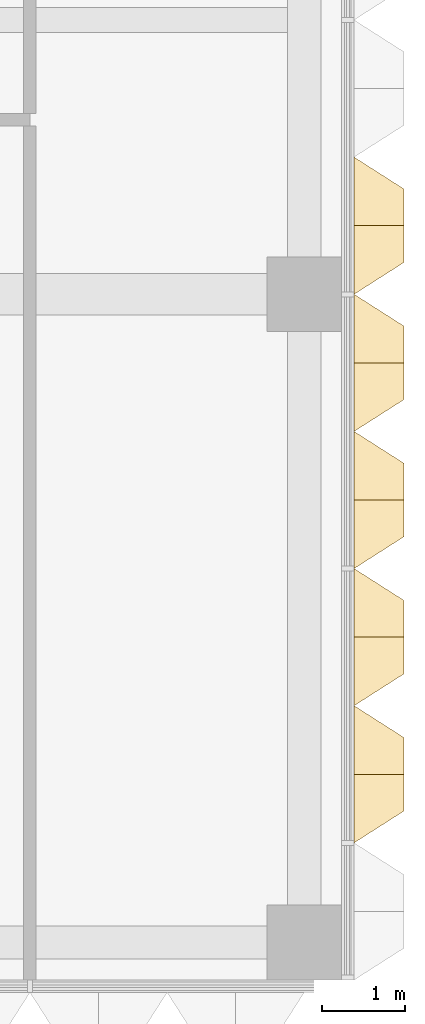
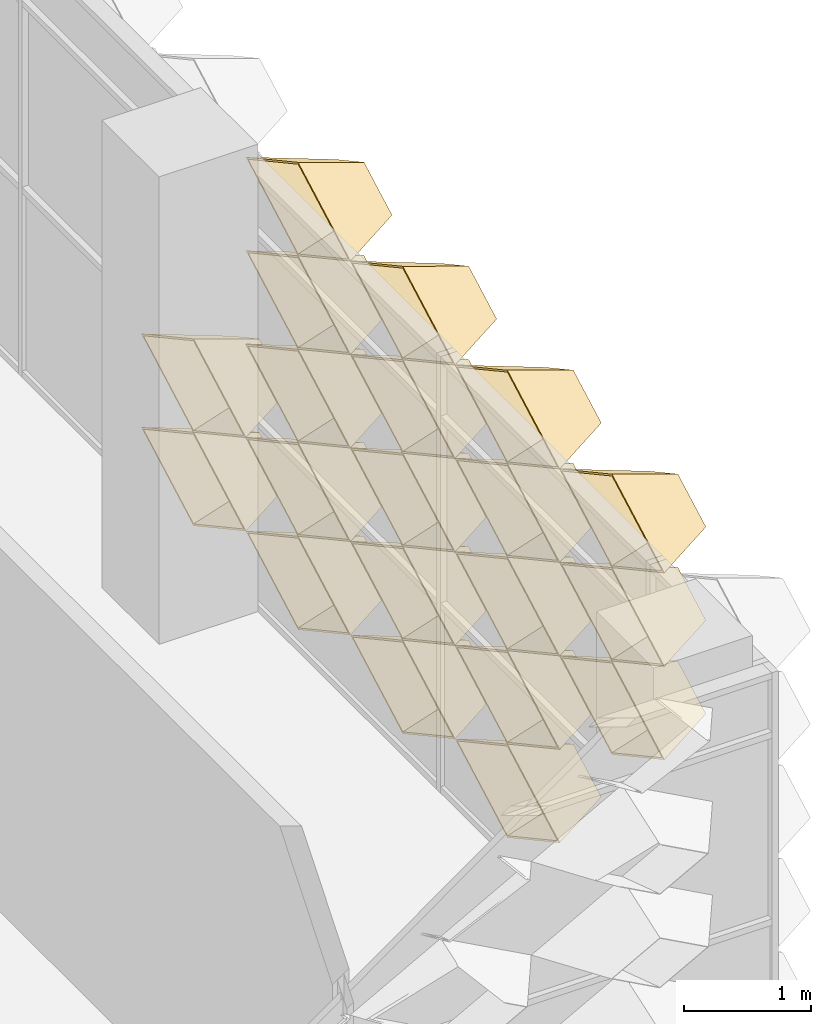
# One storey, part 77 of 102: 20 coverings.
"""IFC4 building model written with IfcOpenShell, lengths in metres."""

from ifc_helpers import new_model, entity, si_unit, direction, frame, origin, place, context, subcontext, project, spatial, material, layer, layer_set, type_object, element, save


model = new_model("IFC4")

# Units and contexts
model_context = context("Model", 3, precision=1e-05, world=origin(), true_north=direction((0.0, 1.0)))
body_context = subcontext(model_context, "Body", "Model", "MODEL_VIEW")
ifc_project = project(units=[si_unit("LENGTHUNIT", "METRE"), si_unit("AREAUNIT", "SQUARE_METRE"), si_unit("VOLUMEUNIT", "CUBIC_METRE"), si_unit("PLANEANGLEUNIT", "RADIAN"), si_unit("MASSUNIT", "GRAM", prefix="KILO")], contexts=[model_context])

# Site, building, storey
site_placement = place(None, origin())
site = spatial("IfcSite", under=ifc_project, at=site_placement, CompositionType="ELEMENT")
building_placement = place(site_placement, origin())
building = spatial("IfcBuilding", under=site, at=building_placement, Name="Lantern Court Research Institute", CompositionType="ELEMENT")
storey_placement = place(building_placement, frame((0.0, 0.0, 9.89990234375)))
storey = spatial("IfcBuildingStorey", under=building, at=storey_placement, Name="L02", CompositionType="ELEMENT", Elevation=9.89990234375)

# Coverings
ifc_material = material(Name="Anodised aluminium", Category="aluminium")
ifc_layer = layer(ifc_material, 0.01611328125)
ifc_layer_set = layer_set([ifc_layer], Name="Anodised aluminium")
covering_type = type_object("IfcCoveringType", Name="Fin cassette 1650 x 900 x 600 aluminium", PredefinedType="CLADDING", material=ifc_layer_set)
covering_1_placement = place(storey_placement, frame((79.800048828125, -4.125, 0.4501953125), z_axis=(1.0, 0.0, 0.0), x_axis=(0.0, 1.0, 0.0)))
cartesian_point_1 = entity("IfcCartesianPoint", [0.824951171875, 0.0])
cartesian_point_2 = entity("IfcCartesianPoint", [0.79150390625, 0.0])
cartesian_point_3 = entity("IfcCartesianPoint", [0.44189453125, 0.0])
cartesian_point_4 = entity("IfcCartesianPoint", [0.43359375, 0.0])
element("IfcCovering", 1, at=covering_1_placement, inside=storey, type_object=covering_type, Name="Fin cassette V5E-L02 1.-2", PredefinedType="CLADDING", context=body_context, shape_type="SweptSolid", body=[
    entity("IfcExtrudedAreaSolidTapered", entity("IfcArbitraryProfileDefWithVoids", "AREA", None, entity("IfcPolyline", [cartesian_point_1, entity("IfcCartesianPoint", [0.0, 0.449951171875]), entity("IfcCartesianPoint", [-0.824951171875, 0.0]), entity("IfcCartesianPoint", [0.0, -0.449951171875]), cartesian_point_1]), [entity("IfcPolyline", [cartesian_point_2, entity("IfcCartesianPoint", [0.0, 0.431884765625]), entity("IfcCartesianPoint", [-0.79150390625, 0.0]), entity("IfcCartesianPoint", [0.0, -0.431884765625]), cartesian_point_2])]), entity("IfcAxis2Placement3D", entity("IfcCartesianPoint", [0.0, 0.0, 0.0])), entity("IfcDirection", [0.0, 0.0, 1.0]), 0.60009765625, entity("IfcArbitraryProfileDefWithVoids", "AREA", None, entity("IfcPolyline", [cartesian_point_3, entity("IfcCartesianPoint", [0.0, 0.240966796875]), entity("IfcCartesianPoint", [-0.44189453125, 0.0]), entity("IfcCartesianPoint", [0.0, -0.240966796875]), cartesian_point_3]), [entity("IfcPolyline", [cartesian_point_4, entity("IfcCartesianPoint", [0.0, 0.236572265625]), entity("IfcCartesianPoint", [-0.43359375, 0.0]), entity("IfcCartesianPoint", [0.0, -0.236572265625]), cartesian_point_4])])),
])
covering_2_placement = place(storey_placement, frame((79.800048828125, -2.47509765625, 0.4501953125), z_axis=(1.0, 0.0, 0.0), x_axis=(0.0, 1.0, 0.0)))
cartesian_point_5 = entity("IfcCartesianPoint", [0.824951171875, 0.0])
cartesian_point_6 = entity("IfcCartesianPoint", [0.79150390625, 0.0])
cartesian_point_7 = entity("IfcCartesianPoint", [0.44189453125, 0.0])
cartesian_point_8 = entity("IfcCartesianPoint", [0.43359375, 0.0])
element("IfcCovering", 2, at=covering_2_placement, inside=storey, type_object=covering_type, Name="Fin cassette V5E-L02 1.-1", PredefinedType="CLADDING", context=body_context, shape_type="SweptSolid", body=[
    entity("IfcExtrudedAreaSolidTapered", entity("IfcArbitraryProfileDefWithVoids", "AREA", None, entity("IfcPolyline", [cartesian_point_5, entity("IfcCartesianPoint", [0.0, 0.449951171875]), entity("IfcCartesianPoint", [-0.824951171875, 0.0]), entity("IfcCartesianPoint", [0.0, -0.449951171875]), cartesian_point_5]), [entity("IfcPolyline", [cartesian_point_6, entity("IfcCartesianPoint", [0.0, 0.431884765625]), entity("IfcCartesianPoint", [-0.79150390625, 0.0]), entity("IfcCartesianPoint", [0.0, -0.431884765625]), cartesian_point_6])]), entity("IfcAxis2Placement3D", entity("IfcCartesianPoint", [0.0, 0.0, 0.0])), entity("IfcDirection", [0.0, 0.0, 1.0]), 0.60009765625, entity("IfcArbitraryProfileDefWithVoids", "AREA", None, entity("IfcPolyline", [cartesian_point_7, entity("IfcCartesianPoint", [0.0, 0.240966796875]), entity("IfcCartesianPoint", [-0.44189453125, 0.0]), entity("IfcCartesianPoint", [0.0, -0.240966796875]), cartesian_point_7]), [entity("IfcPolyline", [cartesian_point_8, entity("IfcCartesianPoint", [0.0, 0.236572265625]), entity("IfcCartesianPoint", [-0.43359375, 0.0]), entity("IfcCartesianPoint", [0.0, -0.236572265625]), cartesian_point_8])])),
])
covering_3_placement = place(storey_placement, frame((79.800048828125, -0.824951171875, 0.4501953125), z_axis=(1.0, 0.0, 0.0), x_axis=(0.0, 1.0, 0.0)))
cartesian_point_9 = entity("IfcCartesianPoint", [0.824951171875, 0.0])
cartesian_point_10 = entity("IfcCartesianPoint", [0.79150390625, 0.0])
cartesian_point_11 = entity("IfcCartesianPoint", [0.44189453125, 0.0])
cartesian_point_12 = entity("IfcCartesianPoint", [0.43359375, 0.0])
element("IfcCovering", 3, at=covering_3_placement, inside=storey, type_object=covering_type, Name="Fin cassette V5E-L02 1.0", PredefinedType="CLADDING", context=body_context, shape_type="SweptSolid", body=[
    entity("IfcExtrudedAreaSolidTapered", entity("IfcArbitraryProfileDefWithVoids", "AREA", None, entity("IfcPolyline", [cartesian_point_9, entity("IfcCartesianPoint", [0.0, 0.449951171875]), entity("IfcCartesianPoint", [-0.824951171875, 0.0]), entity("IfcCartesianPoint", [0.0, -0.449951171875]), cartesian_point_9]), [entity("IfcPolyline", [cartesian_point_10, entity("IfcCartesianPoint", [0.0, 0.431884765625]), entity("IfcCartesianPoint", [-0.79150390625, 0.0]), entity("IfcCartesianPoint", [0.0, -0.431884765625]), cartesian_point_10])]), entity("IfcAxis2Placement3D", entity("IfcCartesianPoint", [0.0, 0.0, 0.0])), entity("IfcDirection", [0.0, 0.0, 1.0]), 0.60009765625, entity("IfcArbitraryProfileDefWithVoids", "AREA", None, entity("IfcPolyline", [cartesian_point_11, entity("IfcCartesianPoint", [0.0, 0.240966796875]), entity("IfcCartesianPoint", [-0.44189453125, 0.0]), entity("IfcCartesianPoint", [0.0, -0.240966796875]), cartesian_point_11]), [entity("IfcPolyline", [cartesian_point_12, entity("IfcCartesianPoint", [0.0, 0.236572265625]), entity("IfcCartesianPoint", [-0.43359375, 0.0]), entity("IfcCartesianPoint", [0.0, -0.236572265625]), cartesian_point_12])])),
])
covering_4_placement = place(storey_placement, frame((79.800048828125, 0.824951171875, 0.4501953125), z_axis=(1.0, 0.0, 0.0), x_axis=(0.0, 1.0, 0.0)))
cartesian_point_13 = entity("IfcCartesianPoint", [0.824951171875, 0.0])
cartesian_point_14 = entity("IfcCartesianPoint", [0.79150390625, 0.0])
cartesian_point_15 = entity("IfcCartesianPoint", [0.44189453125, 0.0])
cartesian_point_16 = entity("IfcCartesianPoint", [0.43359375, 0.0])
element("IfcCovering", 4, at=covering_4_placement, inside=storey, type_object=covering_type, Name="Fin cassette V5E-L02 1.1", PredefinedType="CLADDING", context=body_context, shape_type="SweptSolid", body=[
    entity("IfcExtrudedAreaSolidTapered", entity("IfcArbitraryProfileDefWithVoids", "AREA", None, entity("IfcPolyline", [cartesian_point_13, entity("IfcCartesianPoint", [0.0, 0.449951171875]), entity("IfcCartesianPoint", [-0.824951171875, 0.0]), entity("IfcCartesianPoint", [0.0, -0.449951171875]), cartesian_point_13]), [entity("IfcPolyline", [cartesian_point_14, entity("IfcCartesianPoint", [0.0, 0.431884765625]), entity("IfcCartesianPoint", [-0.79150390625, 0.0]), entity("IfcCartesianPoint", [0.0, -0.431884765625]), cartesian_point_14])]), entity("IfcAxis2Placement3D", entity("IfcCartesianPoint", [0.0, 0.0, 0.0])), entity("IfcDirection", [0.0, 0.0, 1.0]), 0.60009765625, entity("IfcArbitraryProfileDefWithVoids", "AREA", None, entity("IfcPolyline", [cartesian_point_15, entity("IfcCartesianPoint", [0.0, 0.240966796875]), entity("IfcCartesianPoint", [-0.44189453125, 0.0]), entity("IfcCartesianPoint", [0.0, -0.240966796875]), cartesian_point_15]), [entity("IfcPolyline", [cartesian_point_16, entity("IfcCartesianPoint", [0.0, 0.236572265625]), entity("IfcCartesianPoint", [-0.43359375, 0.0]), entity("IfcCartesianPoint", [0.0, -0.236572265625]), cartesian_point_16])])),
])
covering_5_placement = place(storey_placement, frame((79.800048828125, -4.125, 1.35009765625), z_axis=(1.0, 0.0, 0.0), x_axis=(0.0, 1.0, 0.0)))
cartesian_point_17 = entity("IfcCartesianPoint", [0.824951171875, 0.0])
cartesian_point_18 = entity("IfcCartesianPoint", [0.79150390625, 0.0])
cartesian_point_19 = entity("IfcCartesianPoint", [0.44189453125, 0.0])
cartesian_point_20 = entity("IfcCartesianPoint", [0.43359375, 0.0])
element("IfcCovering", 5, at=covering_5_placement, inside=storey, type_object=covering_type, Name="Fin cassette V5E-L02 2.-2", PredefinedType="CLADDING", context=body_context, shape_type="SweptSolid", body=[
    entity("IfcExtrudedAreaSolidTapered", entity("IfcArbitraryProfileDefWithVoids", "AREA", None, entity("IfcPolyline", [cartesian_point_17, entity("IfcCartesianPoint", [0.0, 0.449951171875]), entity("IfcCartesianPoint", [-0.824951171875, 0.0]), entity("IfcCartesianPoint", [0.0, -0.449951171875]), cartesian_point_17]), [entity("IfcPolyline", [cartesian_point_18, entity("IfcCartesianPoint", [0.0, 0.431884765625]), entity("IfcCartesianPoint", [-0.79150390625, 0.0]), entity("IfcCartesianPoint", [0.0, -0.431884765625]), cartesian_point_18])]), entity("IfcAxis2Placement3D", entity("IfcCartesianPoint", [0.0, 0.0, 0.0])), entity("IfcDirection", [0.0, 0.0, 1.0]), 0.60009765625, entity("IfcArbitraryProfileDefWithVoids", "AREA", None, entity("IfcPolyline", [cartesian_point_19, entity("IfcCartesianPoint", [0.0, 0.240966796875]), entity("IfcCartesianPoint", [-0.44189453125, 0.0]), entity("IfcCartesianPoint", [0.0, -0.240966796875]), cartesian_point_19]), [entity("IfcPolyline", [cartesian_point_20, entity("IfcCartesianPoint", [0.0, 0.236572265625]), entity("IfcCartesianPoint", [-0.43359375, 0.0]), entity("IfcCartesianPoint", [0.0, -0.236572265625]), cartesian_point_20])])),
])
covering_6_placement = place(storey_placement, frame((79.800048828125, -2.47509765625, 1.35009765625), z_axis=(1.0, 0.0, 0.0), x_axis=(0.0, 1.0, 0.0)))
cartesian_point_21 = entity("IfcCartesianPoint", [0.824951171875, 0.0])
cartesian_point_22 = entity("IfcCartesianPoint", [0.79150390625, 0.0])
cartesian_point_23 = entity("IfcCartesianPoint", [0.44189453125, 0.0])
cartesian_point_24 = entity("IfcCartesianPoint", [0.43359375, 0.0])
element("IfcCovering", 6, at=covering_6_placement, inside=storey, type_object=covering_type, Name="Fin cassette V5E-L02 2.-1", PredefinedType="CLADDING", context=body_context, shape_type="SweptSolid", body=[
    entity("IfcExtrudedAreaSolidTapered", entity("IfcArbitraryProfileDefWithVoids", "AREA", None, entity("IfcPolyline", [cartesian_point_21, entity("IfcCartesianPoint", [0.0, 0.449951171875]), entity("IfcCartesianPoint", [-0.824951171875, 0.0]), entity("IfcCartesianPoint", [0.0, -0.449951171875]), cartesian_point_21]), [entity("IfcPolyline", [cartesian_point_22, entity("IfcCartesianPoint", [0.0, 0.431884765625]), entity("IfcCartesianPoint", [-0.79150390625, 0.0]), entity("IfcCartesianPoint", [0.0, -0.431884765625]), cartesian_point_22])]), entity("IfcAxis2Placement3D", entity("IfcCartesianPoint", [0.0, 0.0, 0.0])), entity("IfcDirection", [0.0, 0.0, 1.0]), 0.60009765625, entity("IfcArbitraryProfileDefWithVoids", "AREA", None, entity("IfcPolyline", [cartesian_point_23, entity("IfcCartesianPoint", [0.0, 0.240966796875]), entity("IfcCartesianPoint", [-0.44189453125, 0.0]), entity("IfcCartesianPoint", [0.0, -0.240966796875]), cartesian_point_23]), [entity("IfcPolyline", [cartesian_point_24, entity("IfcCartesianPoint", [0.0, 0.236572265625]), entity("IfcCartesianPoint", [-0.43359375, 0.0]), entity("IfcCartesianPoint", [0.0, -0.236572265625]), cartesian_point_24])])),
])
covering_7_placement = place(storey_placement, frame((79.800048828125, -0.824951171875, 1.35009765625), z_axis=(1.0, 0.0, 0.0), x_axis=(0.0, 1.0, 0.0)))
cartesian_point_25 = entity("IfcCartesianPoint", [0.824951171875, 0.0])
cartesian_point_26 = entity("IfcCartesianPoint", [0.79150390625, 0.0])
cartesian_point_27 = entity("IfcCartesianPoint", [0.44189453125, 0.0])
cartesian_point_28 = entity("IfcCartesianPoint", [0.43359375, 0.0])
element("IfcCovering", 7, at=covering_7_placement, inside=storey, type_object=covering_type, Name="Fin cassette V5E-L02 2.0", PredefinedType="CLADDING", context=body_context, shape_type="SweptSolid", body=[
    entity("IfcExtrudedAreaSolidTapered", entity("IfcArbitraryProfileDefWithVoids", "AREA", None, entity("IfcPolyline", [cartesian_point_25, entity("IfcCartesianPoint", [0.0, 0.449951171875]), entity("IfcCartesianPoint", [-0.824951171875, 0.0]), entity("IfcCartesianPoint", [0.0, -0.449951171875]), cartesian_point_25]), [entity("IfcPolyline", [cartesian_point_26, entity("IfcCartesianPoint", [0.0, 0.431884765625]), entity("IfcCartesianPoint", [-0.79150390625, 0.0]), entity("IfcCartesianPoint", [0.0, -0.431884765625]), cartesian_point_26])]), entity("IfcAxis2Placement3D", entity("IfcCartesianPoint", [0.0, 0.0, 0.0])), entity("IfcDirection", [0.0, 0.0, 1.0]), 0.60009765625, entity("IfcArbitraryProfileDefWithVoids", "AREA", None, entity("IfcPolyline", [cartesian_point_27, entity("IfcCartesianPoint", [0.0, 0.240966796875]), entity("IfcCartesianPoint", [-0.44189453125, 0.0]), entity("IfcCartesianPoint", [0.0, -0.240966796875]), cartesian_point_27]), [entity("IfcPolyline", [cartesian_point_28, entity("IfcCartesianPoint", [0.0, 0.236572265625]), entity("IfcCartesianPoint", [-0.43359375, 0.0]), entity("IfcCartesianPoint", [0.0, -0.236572265625]), cartesian_point_28])])),
])
covering_8_placement = place(storey_placement, frame((79.800048828125, 0.824951171875, 1.35009765625), z_axis=(1.0, 0.0, 0.0), x_axis=(0.0, 1.0, 0.0)))
cartesian_point_29 = entity("IfcCartesianPoint", [0.824951171875, 0.0])
cartesian_point_30 = entity("IfcCartesianPoint", [0.79150390625, 0.0])
cartesian_point_31 = entity("IfcCartesianPoint", [0.44189453125, 0.0])
cartesian_point_32 = entity("IfcCartesianPoint", [0.43359375, 0.0])
element("IfcCovering", 8, at=covering_8_placement, inside=storey, type_object=covering_type, Name="Fin cassette V5E-L02 2.1", PredefinedType="CLADDING", context=body_context, shape_type="SweptSolid", body=[
    entity("IfcExtrudedAreaSolidTapered", entity("IfcArbitraryProfileDefWithVoids", "AREA", None, entity("IfcPolyline", [cartesian_point_29, entity("IfcCartesianPoint", [0.0, 0.449951171875]), entity("IfcCartesianPoint", [-0.824951171875, 0.0]), entity("IfcCartesianPoint", [0.0, -0.449951171875]), cartesian_point_29]), [entity("IfcPolyline", [cartesian_point_30, entity("IfcCartesianPoint", [0.0, 0.431884765625]), entity("IfcCartesianPoint", [-0.79150390625, 0.0]), entity("IfcCartesianPoint", [0.0, -0.431884765625]), cartesian_point_30])]), entity("IfcAxis2Placement3D", entity("IfcCartesianPoint", [0.0, 0.0, 0.0])), entity("IfcDirection", [0.0, 0.0, 1.0]), 0.60009765625, entity("IfcArbitraryProfileDefWithVoids", "AREA", None, entity("IfcPolyline", [cartesian_point_31, entity("IfcCartesianPoint", [0.0, 0.240966796875]), entity("IfcCartesianPoint", [-0.44189453125, 0.0]), entity("IfcCartesianPoint", [0.0, -0.240966796875]), cartesian_point_31]), [entity("IfcPolyline", [cartesian_point_32, entity("IfcCartesianPoint", [0.0, 0.236572265625]), entity("IfcCartesianPoint", [-0.43359375, 0.0]), entity("IfcCartesianPoint", [0.0, -0.236572265625]), cartesian_point_32])])),
])
covering_9_placement = place(storey_placement, frame((79.800048828125, -5.77490234375, 2.25), z_axis=(1.0, 0.0, 0.0), x_axis=(0.0, 1.0, 0.0)))
cartesian_point_33 = entity("IfcCartesianPoint", [0.824951171875, 0.0])
cartesian_point_34 = entity("IfcCartesianPoint", [0.79150390625, 0.0])
cartesian_point_35 = entity("IfcCartesianPoint", [0.44189453125, 0.0])
cartesian_point_36 = entity("IfcCartesianPoint", [0.43359375, 0.0])
element("IfcCovering", 9, at=covering_9_placement, inside=storey, type_object=covering_type, Name="Fin cassette V5E-L02 3.-3", PredefinedType="CLADDING", context=body_context, shape_type="SweptSolid", body=[
    entity("IfcExtrudedAreaSolidTapered", entity("IfcArbitraryProfileDefWithVoids", "AREA", None, entity("IfcPolyline", [cartesian_point_33, entity("IfcCartesianPoint", [0.0, 0.449951171875]), entity("IfcCartesianPoint", [-0.824951171875, 0.0]), entity("IfcCartesianPoint", [0.0, -0.449951171875]), cartesian_point_33]), [entity("IfcPolyline", [cartesian_point_34, entity("IfcCartesianPoint", [0.0, 0.431884765625]), entity("IfcCartesianPoint", [-0.79150390625, 0.0]), entity("IfcCartesianPoint", [0.0, -0.431884765625]), cartesian_point_34])]), entity("IfcAxis2Placement3D", entity("IfcCartesianPoint", [0.0, 0.0, 0.0])), entity("IfcDirection", [0.0, 0.0, 1.0]), 0.60009765625, entity("IfcArbitraryProfileDefWithVoids", "AREA", None, entity("IfcPolyline", [cartesian_point_35, entity("IfcCartesianPoint", [0.0, 0.240966796875]), entity("IfcCartesianPoint", [-0.44189453125, 0.0]), entity("IfcCartesianPoint", [0.0, -0.240966796875]), cartesian_point_35]), [entity("IfcPolyline", [cartesian_point_36, entity("IfcCartesianPoint", [0.0, 0.236572265625]), entity("IfcCartesianPoint", [-0.43359375, 0.0]), entity("IfcCartesianPoint", [0.0, -0.236572265625]), cartesian_point_36])])),
])
covering_10_placement = place(storey_placement, frame((79.800048828125, -4.125, 2.25), z_axis=(1.0, 0.0, 0.0), x_axis=(0.0, 1.0, 0.0)))
cartesian_point_37 = entity("IfcCartesianPoint", [0.824951171875, 0.0])
cartesian_point_38 = entity("IfcCartesianPoint", [0.79150390625, 0.0])
cartesian_point_39 = entity("IfcCartesianPoint", [0.44189453125, 0.0])
cartesian_point_40 = entity("IfcCartesianPoint", [0.43359375, 0.0])
element("IfcCovering", 10, at=covering_10_placement, inside=storey, type_object=covering_type, Name="Fin cassette V5E-L02 3.-2", PredefinedType="CLADDING", context=body_context, shape_type="SweptSolid", body=[
    entity("IfcExtrudedAreaSolidTapered", entity("IfcArbitraryProfileDefWithVoids", "AREA", None, entity("IfcPolyline", [cartesian_point_37, entity("IfcCartesianPoint", [0.0, 0.449951171875]), entity("IfcCartesianPoint", [-0.824951171875, 0.0]), entity("IfcCartesianPoint", [0.0, -0.449951171875]), cartesian_point_37]), [entity("IfcPolyline", [cartesian_point_38, entity("IfcCartesianPoint", [0.0, 0.431884765625]), entity("IfcCartesianPoint", [-0.79150390625, 0.0]), entity("IfcCartesianPoint", [0.0, -0.431884765625]), cartesian_point_38])]), entity("IfcAxis2Placement3D", entity("IfcCartesianPoint", [0.0, 0.0, 0.0])), entity("IfcDirection", [0.0, 0.0, 1.0]), 0.60009765625, entity("IfcArbitraryProfileDefWithVoids", "AREA", None, entity("IfcPolyline", [cartesian_point_39, entity("IfcCartesianPoint", [0.0, 0.240966796875]), entity("IfcCartesianPoint", [-0.44189453125, 0.0]), entity("IfcCartesianPoint", [0.0, -0.240966796875]), cartesian_point_39]), [entity("IfcPolyline", [cartesian_point_40, entity("IfcCartesianPoint", [0.0, 0.236572265625]), entity("IfcCartesianPoint", [-0.43359375, 0.0]), entity("IfcCartesianPoint", [0.0, -0.236572265625]), cartesian_point_40])])),
])
covering_11_placement = place(storey_placement, frame((79.800048828125, -2.47509765625, 2.25), z_axis=(1.0, 0.0, 0.0), x_axis=(0.0, 1.0, 0.0)))
cartesian_point_41 = entity("IfcCartesianPoint", [0.824951171875, 0.0])
cartesian_point_42 = entity("IfcCartesianPoint", [0.79150390625, 0.0])
cartesian_point_43 = entity("IfcCartesianPoint", [0.44189453125, 0.0])
cartesian_point_44 = entity("IfcCartesianPoint", [0.43359375, 0.0])
element("IfcCovering", 11, at=covering_11_placement, inside=storey, type_object=covering_type, Name="Fin cassette V5E-L02 3.-1", PredefinedType="CLADDING", context=body_context, shape_type="SweptSolid", body=[
    entity("IfcExtrudedAreaSolidTapered", entity("IfcArbitraryProfileDefWithVoids", "AREA", None, entity("IfcPolyline", [cartesian_point_41, entity("IfcCartesianPoint", [0.0, 0.449951171875]), entity("IfcCartesianPoint", [-0.824951171875, 0.0]), entity("IfcCartesianPoint", [0.0, -0.449951171875]), cartesian_point_41]), [entity("IfcPolyline", [cartesian_point_42, entity("IfcCartesianPoint", [0.0, 0.431884765625]), entity("IfcCartesianPoint", [-0.79150390625, 0.0]), entity("IfcCartesianPoint", [0.0, -0.431884765625]), cartesian_point_42])]), entity("IfcAxis2Placement3D", entity("IfcCartesianPoint", [0.0, 0.0, 0.0])), entity("IfcDirection", [0.0, 0.0, 1.0]), 0.60009765625, entity("IfcArbitraryProfileDefWithVoids", "AREA", None, entity("IfcPolyline", [cartesian_point_43, entity("IfcCartesianPoint", [0.0, 0.240966796875]), entity("IfcCartesianPoint", [-0.44189453125, 0.0]), entity("IfcCartesianPoint", [0.0, -0.240966796875]), cartesian_point_43]), [entity("IfcPolyline", [cartesian_point_44, entity("IfcCartesianPoint", [0.0, 0.236572265625]), entity("IfcCartesianPoint", [-0.43359375, 0.0]), entity("IfcCartesianPoint", [0.0, -0.236572265625]), cartesian_point_44])])),
])
covering_12_placement = place(storey_placement, frame((79.800048828125, -0.824951171875, 2.25), z_axis=(1.0, 0.0, 0.0), x_axis=(0.0, 1.0, 0.0)))
cartesian_point_45 = entity("IfcCartesianPoint", [0.824951171875, 0.0])
cartesian_point_46 = entity("IfcCartesianPoint", [0.79150390625, 0.0])
cartesian_point_47 = entity("IfcCartesianPoint", [0.44189453125, 0.0])
cartesian_point_48 = entity("IfcCartesianPoint", [0.43359375, 0.0])
element("IfcCovering", 12, at=covering_12_placement, inside=storey, type_object=covering_type, Name="Fin cassette V5E-L02 3.0", PredefinedType="CLADDING", context=body_context, shape_type="SweptSolid", body=[
    entity("IfcExtrudedAreaSolidTapered", entity("IfcArbitraryProfileDefWithVoids", "AREA", None, entity("IfcPolyline", [cartesian_point_45, entity("IfcCartesianPoint", [0.0, 0.449951171875]), entity("IfcCartesianPoint", [-0.824951171875, 0.0]), entity("IfcCartesianPoint", [0.0, -0.449951171875]), cartesian_point_45]), [entity("IfcPolyline", [cartesian_point_46, entity("IfcCartesianPoint", [0.0, 0.431884765625]), entity("IfcCartesianPoint", [-0.79150390625, 0.0]), entity("IfcCartesianPoint", [0.0, -0.431884765625]), cartesian_point_46])]), entity("IfcAxis2Placement3D", entity("IfcCartesianPoint", [0.0, 0.0, 0.0])), entity("IfcDirection", [0.0, 0.0, 1.0]), 0.60009765625, entity("IfcArbitraryProfileDefWithVoids", "AREA", None, entity("IfcPolyline", [cartesian_point_47, entity("IfcCartesianPoint", [0.0, 0.240966796875]), entity("IfcCartesianPoint", [-0.44189453125, 0.0]), entity("IfcCartesianPoint", [0.0, -0.240966796875]), cartesian_point_47]), [entity("IfcPolyline", [cartesian_point_48, entity("IfcCartesianPoint", [0.0, 0.236572265625]), entity("IfcCartesianPoint", [-0.43359375, 0.0]), entity("IfcCartesianPoint", [0.0, -0.236572265625]), cartesian_point_48])])),
])
covering_13_placement = place(storey_placement, frame((79.800048828125, -5.77490234375, 3.150146484375), z_axis=(1.0, 0.0, 0.0), x_axis=(0.0, 1.0, 0.0)))
cartesian_point_49 = entity("IfcCartesianPoint", [0.824951171875, 0.0])
cartesian_point_50 = entity("IfcCartesianPoint", [0.79150390625, 0.0])
cartesian_point_51 = entity("IfcCartesianPoint", [0.44189453125, 0.0])
cartesian_point_52 = entity("IfcCartesianPoint", [0.43359375, 0.0])
element("IfcCovering", 13, at=covering_13_placement, inside=storey, type_object=covering_type, Name="Fin cassette V5E-L02 4.-3", PredefinedType="CLADDING", context=body_context, shape_type="SweptSolid", body=[
    entity("IfcExtrudedAreaSolidTapered", entity("IfcArbitraryProfileDefWithVoids", "AREA", None, entity("IfcPolyline", [cartesian_point_49, entity("IfcCartesianPoint", [0.0, 0.449951171875]), entity("IfcCartesianPoint", [-0.824951171875, 0.0]), entity("IfcCartesianPoint", [0.0, -0.449951171875]), cartesian_point_49]), [entity("IfcPolyline", [cartesian_point_50, entity("IfcCartesianPoint", [0.0, 0.431884765625]), entity("IfcCartesianPoint", [-0.79150390625, 0.0]), entity("IfcCartesianPoint", [0.0, -0.431884765625]), cartesian_point_50])]), entity("IfcAxis2Placement3D", entity("IfcCartesianPoint", [0.0, 0.0, 0.0])), entity("IfcDirection", [0.0, 0.0, 1.0]), 0.60009765625, entity("IfcArbitraryProfileDefWithVoids", "AREA", None, entity("IfcPolyline", [cartesian_point_51, entity("IfcCartesianPoint", [0.0, 0.240966796875]), entity("IfcCartesianPoint", [-0.44189453125, 0.0]), entity("IfcCartesianPoint", [0.0, -0.240966796875]), cartesian_point_51]), [entity("IfcPolyline", [cartesian_point_52, entity("IfcCartesianPoint", [0.0, 0.236572265625]), entity("IfcCartesianPoint", [-0.43359375, 0.0]), entity("IfcCartesianPoint", [0.0, -0.236572265625]), cartesian_point_52])])),
])
covering_14_placement = place(storey_placement, frame((79.800048828125, -4.125, 3.150146484375), z_axis=(1.0, 0.0, 0.0), x_axis=(0.0, 1.0, 0.0)))
cartesian_point_53 = entity("IfcCartesianPoint", [0.824951171875, 0.0])
cartesian_point_54 = entity("IfcCartesianPoint", [0.79150390625, 0.0])
cartesian_point_55 = entity("IfcCartesianPoint", [0.44189453125, 0.0])
cartesian_point_56 = entity("IfcCartesianPoint", [0.43359375, 0.0])
element("IfcCovering", 14, at=covering_14_placement, inside=storey, type_object=covering_type, Name="Fin cassette V5E-L02 4.-2", PredefinedType="CLADDING", context=body_context, shape_type="SweptSolid", body=[
    entity("IfcExtrudedAreaSolidTapered", entity("IfcArbitraryProfileDefWithVoids", "AREA", None, entity("IfcPolyline", [cartesian_point_53, entity("IfcCartesianPoint", [0.0, 0.449951171875]), entity("IfcCartesianPoint", [-0.824951171875, 0.0]), entity("IfcCartesianPoint", [0.0, -0.449951171875]), cartesian_point_53]), [entity("IfcPolyline", [cartesian_point_54, entity("IfcCartesianPoint", [0.0, 0.431884765625]), entity("IfcCartesianPoint", [-0.79150390625, 0.0]), entity("IfcCartesianPoint", [0.0, -0.431884765625]), cartesian_point_54])]), entity("IfcAxis2Placement3D", entity("IfcCartesianPoint", [0.0, 0.0, 0.0])), entity("IfcDirection", [0.0, 0.0, 1.0]), 0.60009765625, entity("IfcArbitraryProfileDefWithVoids", "AREA", None, entity("IfcPolyline", [cartesian_point_55, entity("IfcCartesianPoint", [0.0, 0.240966796875]), entity("IfcCartesianPoint", [-0.44189453125, 0.0]), entity("IfcCartesianPoint", [0.0, -0.240966796875]), cartesian_point_55]), [entity("IfcPolyline", [cartesian_point_56, entity("IfcCartesianPoint", [0.0, 0.236572265625]), entity("IfcCartesianPoint", [-0.43359375, 0.0]), entity("IfcCartesianPoint", [0.0, -0.236572265625]), cartesian_point_56])])),
])
covering_15_placement = place(storey_placement, frame((79.800048828125, -2.47509765625, 3.150146484375), z_axis=(1.0, 0.0, 0.0), x_axis=(0.0, 1.0, 0.0)))
cartesian_point_57 = entity("IfcCartesianPoint", [0.824951171875, 0.0])
cartesian_point_58 = entity("IfcCartesianPoint", [0.79150390625, 0.0])
cartesian_point_59 = entity("IfcCartesianPoint", [0.44189453125, 0.0])
cartesian_point_60 = entity("IfcCartesianPoint", [0.43359375, 0.0])
element("IfcCovering", 15, at=covering_15_placement, inside=storey, type_object=covering_type, Name="Fin cassette V5E-L02 4.-1", PredefinedType="CLADDING", context=body_context, shape_type="SweptSolid", body=[
    entity("IfcExtrudedAreaSolidTapered", entity("IfcArbitraryProfileDefWithVoids", "AREA", None, entity("IfcPolyline", [cartesian_point_57, entity("IfcCartesianPoint", [0.0, 0.449951171875]), entity("IfcCartesianPoint", [-0.824951171875, 0.0]), entity("IfcCartesianPoint", [0.0, -0.449951171875]), cartesian_point_57]), [entity("IfcPolyline", [cartesian_point_58, entity("IfcCartesianPoint", [0.0, 0.431884765625]), entity("IfcCartesianPoint", [-0.79150390625, 0.0]), entity("IfcCartesianPoint", [0.0, -0.431884765625]), cartesian_point_58])]), entity("IfcAxis2Placement3D", entity("IfcCartesianPoint", [0.0, 0.0, 0.0])), entity("IfcDirection", [0.0, 0.0, 1.0]), 0.60009765625, entity("IfcArbitraryProfileDefWithVoids", "AREA", None, entity("IfcPolyline", [cartesian_point_59, entity("IfcCartesianPoint", [0.0, 0.240966796875]), entity("IfcCartesianPoint", [-0.44189453125, 0.0]), entity("IfcCartesianPoint", [0.0, -0.240966796875]), cartesian_point_59]), [entity("IfcPolyline", [cartesian_point_60, entity("IfcCartesianPoint", [0.0, 0.236572265625]), entity("IfcCartesianPoint", [-0.43359375, 0.0]), entity("IfcCartesianPoint", [0.0, -0.236572265625]), cartesian_point_60])])),
])
covering_16_placement = place(storey_placement, frame((79.800048828125, -0.824951171875, 3.150146484375), z_axis=(1.0, 0.0, 0.0), x_axis=(0.0, 1.0, 0.0)))
cartesian_point_61 = entity("IfcCartesianPoint", [0.824951171875, 0.0])
cartesian_point_62 = entity("IfcCartesianPoint", [0.79150390625, 0.0])
cartesian_point_63 = entity("IfcCartesianPoint", [0.44189453125, 0.0])
cartesian_point_64 = entity("IfcCartesianPoint", [0.43359375, 0.0])
element("IfcCovering", 16, at=covering_16_placement, inside=storey, type_object=covering_type, Name="Fin cassette V5E-L02 4.0", PredefinedType="CLADDING", context=body_context, shape_type="SweptSolid", body=[
    entity("IfcExtrudedAreaSolidTapered", entity("IfcArbitraryProfileDefWithVoids", "AREA", None, entity("IfcPolyline", [cartesian_point_61, entity("IfcCartesianPoint", [0.0, 0.449951171875]), entity("IfcCartesianPoint", [-0.824951171875, 0.0]), entity("IfcCartesianPoint", [0.0, -0.449951171875]), cartesian_point_61]), [entity("IfcPolyline", [cartesian_point_62, entity("IfcCartesianPoint", [0.0, 0.431884765625]), entity("IfcCartesianPoint", [-0.79150390625, 0.0]), entity("IfcCartesianPoint", [0.0, -0.431884765625]), cartesian_point_62])]), entity("IfcAxis2Placement3D", entity("IfcCartesianPoint", [0.0, 0.0, 0.0])), entity("IfcDirection", [0.0, 0.0, 1.0]), 0.60009765625, entity("IfcArbitraryProfileDefWithVoids", "AREA", None, entity("IfcPolyline", [cartesian_point_63, entity("IfcCartesianPoint", [0.0, 0.240966796875]), entity("IfcCartesianPoint", [-0.44189453125, 0.0]), entity("IfcCartesianPoint", [0.0, -0.240966796875]), cartesian_point_63]), [entity("IfcPolyline", [cartesian_point_64, entity("IfcCartesianPoint", [0.0, 0.236572265625]), entity("IfcCartesianPoint", [-0.43359375, 0.0]), entity("IfcCartesianPoint", [0.0, -0.236572265625]), cartesian_point_64])])),
])
covering_17_placement = place(storey_placement, frame((79.800048828125, -5.77490234375, 4.050048828125), z_axis=(1.0, 0.0, 0.0), x_axis=(0.0, 1.0, 0.0)))
cartesian_point_65 = entity("IfcCartesianPoint", [0.824951171875, 0.0])
cartesian_point_66 = entity("IfcCartesianPoint", [0.79150390625, 0.0])
cartesian_point_67 = entity("IfcCartesianPoint", [0.44189453125, 0.0])
cartesian_point_68 = entity("IfcCartesianPoint", [0.43359375, 0.0])
element("IfcCovering", 17, at=covering_17_placement, inside=storey, type_object=covering_type, Name="Fin cassette V5E-L02 5.-3", PredefinedType="CLADDING", context=body_context, shape_type="SweptSolid", body=[
    entity("IfcExtrudedAreaSolidTapered", entity("IfcArbitraryProfileDefWithVoids", "AREA", None, entity("IfcPolyline", [cartesian_point_65, entity("IfcCartesianPoint", [0.0, 0.449951171875]), entity("IfcCartesianPoint", [-0.824951171875, 0.0]), entity("IfcCartesianPoint", [0.0, -0.449951171875]), cartesian_point_65]), [entity("IfcPolyline", [cartesian_point_66, entity("IfcCartesianPoint", [0.0, 0.431884765625]), entity("IfcCartesianPoint", [-0.79150390625, 0.0]), entity("IfcCartesianPoint", [0.0, -0.431884765625]), cartesian_point_66])]), entity("IfcAxis2Placement3D", entity("IfcCartesianPoint", [0.0, 0.0, 0.0])), entity("IfcDirection", [0.0, 0.0, 1.0]), 0.60009765625, entity("IfcArbitraryProfileDefWithVoids", "AREA", None, entity("IfcPolyline", [cartesian_point_67, entity("IfcCartesianPoint", [0.0, 0.240966796875]), entity("IfcCartesianPoint", [-0.44189453125, 0.0]), entity("IfcCartesianPoint", [0.0, -0.240966796875]), cartesian_point_67]), [entity("IfcPolyline", [cartesian_point_68, entity("IfcCartesianPoint", [0.0, 0.236572265625]), entity("IfcCartesianPoint", [-0.43359375, 0.0]), entity("IfcCartesianPoint", [0.0, -0.236572265625]), cartesian_point_68])])),
])
covering_18_placement = place(storey_placement, frame((79.800048828125, -4.125, 4.050048828125), z_axis=(1.0, 0.0, 0.0), x_axis=(0.0, 1.0, 0.0)))
cartesian_point_69 = entity("IfcCartesianPoint", [0.824951171875, 0.0])
cartesian_point_70 = entity("IfcCartesianPoint", [0.79150390625, 0.0])
cartesian_point_71 = entity("IfcCartesianPoint", [0.44189453125, 0.0])
cartesian_point_72 = entity("IfcCartesianPoint", [0.43359375, 0.0])
element("IfcCovering", 18, at=covering_18_placement, inside=storey, type_object=covering_type, Name="Fin cassette V5E-L02 5.-2", PredefinedType="CLADDING", context=body_context, shape_type="SweptSolid", body=[
    entity("IfcExtrudedAreaSolidTapered", entity("IfcArbitraryProfileDefWithVoids", "AREA", None, entity("IfcPolyline", [cartesian_point_69, entity("IfcCartesianPoint", [0.0, 0.449951171875]), entity("IfcCartesianPoint", [-0.824951171875, 0.0]), entity("IfcCartesianPoint", [0.0, -0.449951171875]), cartesian_point_69]), [entity("IfcPolyline", [cartesian_point_70, entity("IfcCartesianPoint", [0.0, 0.431884765625]), entity("IfcCartesianPoint", [-0.79150390625, 0.0]), entity("IfcCartesianPoint", [0.0, -0.431884765625]), cartesian_point_70])]), entity("IfcAxis2Placement3D", entity("IfcCartesianPoint", [0.0, 0.0, 0.0])), entity("IfcDirection", [0.0, 0.0, 1.0]), 0.60009765625, entity("IfcArbitraryProfileDefWithVoids", "AREA", None, entity("IfcPolyline", [cartesian_point_71, entity("IfcCartesianPoint", [0.0, 0.240966796875]), entity("IfcCartesianPoint", [-0.44189453125, 0.0]), entity("IfcCartesianPoint", [0.0, -0.240966796875]), cartesian_point_71]), [entity("IfcPolyline", [cartesian_point_72, entity("IfcCartesianPoint", [0.0, 0.236572265625]), entity("IfcCartesianPoint", [-0.43359375, 0.0]), entity("IfcCartesianPoint", [0.0, -0.236572265625]), cartesian_point_72])])),
])
covering_19_placement = place(storey_placement, frame((79.800048828125, -2.47509765625, 4.050048828125), z_axis=(1.0, 0.0, 0.0), x_axis=(0.0, 1.0, 0.0)))
cartesian_point_73 = entity("IfcCartesianPoint", [0.824951171875, 0.0])
cartesian_point_74 = entity("IfcCartesianPoint", [0.79150390625, 0.0])
cartesian_point_75 = entity("IfcCartesianPoint", [0.44189453125, 0.0])
cartesian_point_76 = entity("IfcCartesianPoint", [0.43359375, 0.0])
element("IfcCovering", 19, at=covering_19_placement, inside=storey, type_object=covering_type, Name="Fin cassette V5E-L02 5.-1", PredefinedType="CLADDING", context=body_context, shape_type="SweptSolid", body=[
    entity("IfcExtrudedAreaSolidTapered", entity("IfcArbitraryProfileDefWithVoids", "AREA", None, entity("IfcPolyline", [cartesian_point_73, entity("IfcCartesianPoint", [0.0, 0.449951171875]), entity("IfcCartesianPoint", [-0.824951171875, 0.0]), entity("IfcCartesianPoint", [0.0, -0.449951171875]), cartesian_point_73]), [entity("IfcPolyline", [cartesian_point_74, entity("IfcCartesianPoint", [0.0, 0.431884765625]), entity("IfcCartesianPoint", [-0.79150390625, 0.0]), entity("IfcCartesianPoint", [0.0, -0.431884765625]), cartesian_point_74])]), entity("IfcAxis2Placement3D", entity("IfcCartesianPoint", [0.0, 0.0, 0.0])), entity("IfcDirection", [0.0, 0.0, 1.0]), 0.60009765625, entity("IfcArbitraryProfileDefWithVoids", "AREA", None, entity("IfcPolyline", [cartesian_point_75, entity("IfcCartesianPoint", [0.0, 0.240966796875]), entity("IfcCartesianPoint", [-0.44189453125, 0.0]), entity("IfcCartesianPoint", [0.0, -0.240966796875]), cartesian_point_75]), [entity("IfcPolyline", [cartesian_point_76, entity("IfcCartesianPoint", [0.0, 0.236572265625]), entity("IfcCartesianPoint", [-0.43359375, 0.0]), entity("IfcCartesianPoint", [0.0, -0.236572265625]), cartesian_point_76])])),
])
covering_20_placement = place(storey_placement, frame((79.800048828125, -0.824951171875, 4.050048828125), z_axis=(1.0, 0.0, 0.0), x_axis=(0.0, 1.0, 0.0)))
cartesian_point_77 = entity("IfcCartesianPoint", [0.824951171875, 0.0])
cartesian_point_78 = entity("IfcCartesianPoint", [0.79150390625, 0.0])
cartesian_point_79 = entity("IfcCartesianPoint", [0.44189453125, 0.0])
cartesian_point_80 = entity("IfcCartesianPoint", [0.43359375, 0.0])
element("IfcCovering", 20, at=covering_20_placement, inside=storey, type_object=covering_type, Name="Fin cassette V5E-L02 5.0", PredefinedType="CLADDING", context=body_context, shape_type="SweptSolid", body=[
    entity("IfcExtrudedAreaSolidTapered", entity("IfcArbitraryProfileDefWithVoids", "AREA", None, entity("IfcPolyline", [cartesian_point_77, entity("IfcCartesianPoint", [0.0, 0.449951171875]), entity("IfcCartesianPoint", [-0.824951171875, 0.0]), entity("IfcCartesianPoint", [0.0, -0.449951171875]), cartesian_point_77]), [entity("IfcPolyline", [cartesian_point_78, entity("IfcCartesianPoint", [0.0, 0.431884765625]), entity("IfcCartesianPoint", [-0.79150390625, 0.0]), entity("IfcCartesianPoint", [0.0, -0.431884765625]), cartesian_point_78])]), entity("IfcAxis2Placement3D", entity("IfcCartesianPoint", [0.0, 0.0, 0.0])), entity("IfcDirection", [0.0, 0.0, 1.0]), 0.60009765625, entity("IfcArbitraryProfileDefWithVoids", "AREA", None, entity("IfcPolyline", [cartesian_point_79, entity("IfcCartesianPoint", [0.0, 0.240966796875]), entity("IfcCartesianPoint", [-0.44189453125, 0.0]), entity("IfcCartesianPoint", [0.0, -0.240966796875]), cartesian_point_79]), [entity("IfcPolyline", [cartesian_point_80, entity("IfcCartesianPoint", [0.0, 0.236572265625]), entity("IfcCartesianPoint", [-0.43359375, 0.0]), entity("IfcCartesianPoint", [0.0, -0.236572265625]), cartesian_point_80])])),
])

save(model, "model.ifc")
